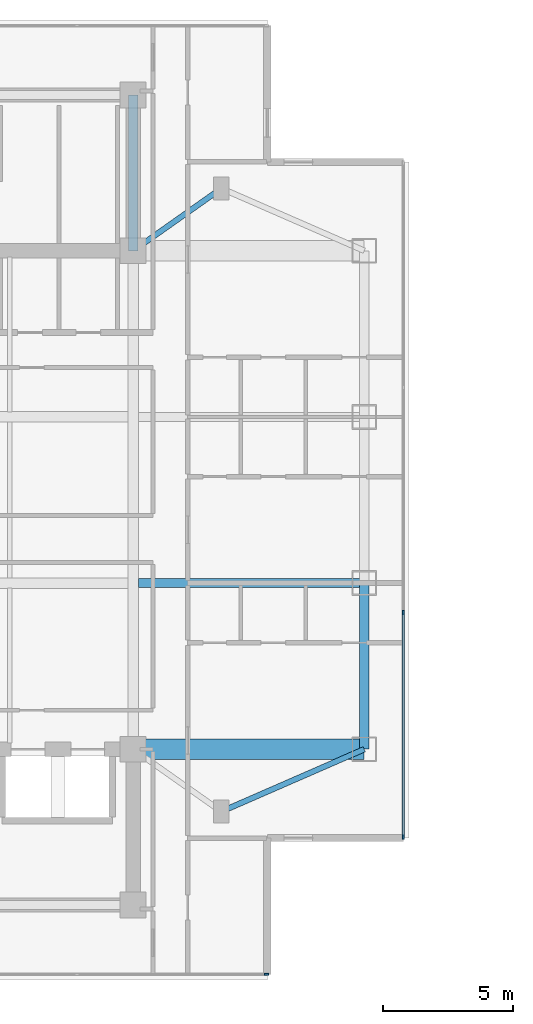
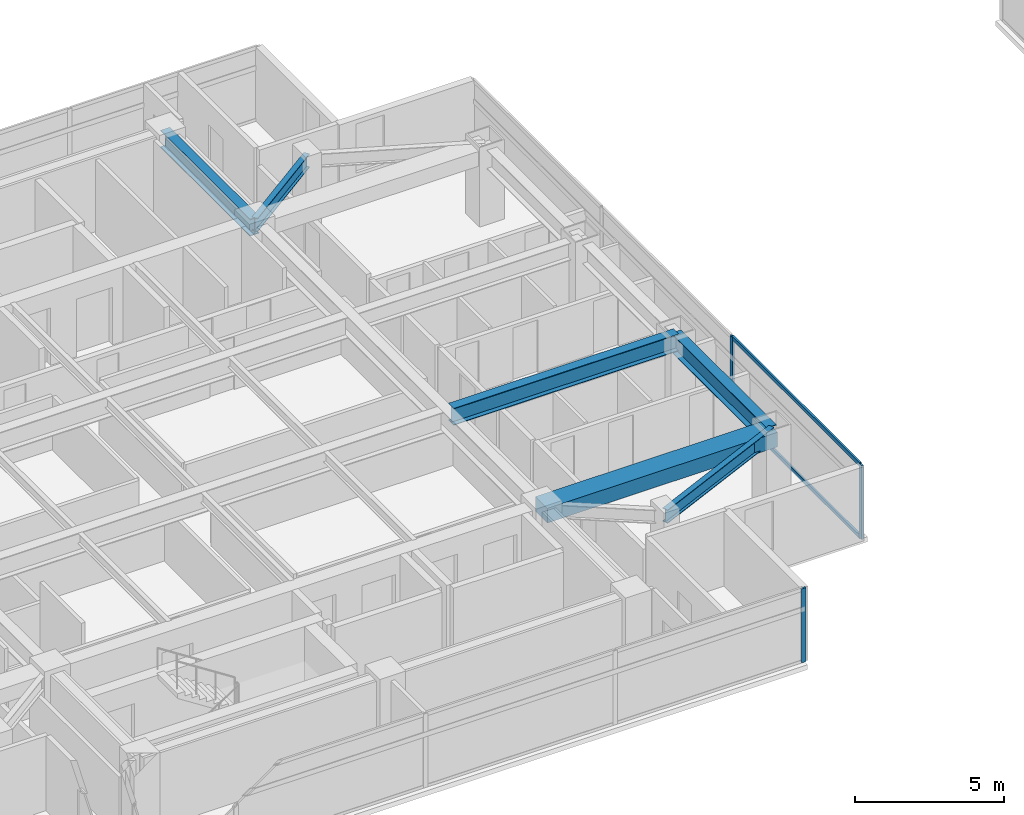
# One storey, part 4 of 24: 6 beams, 5 members, 2 elements without a shape of their own.
"""IFC4 building model written with IfcOpenShell, lengths in metres."""

from ifc_helpers import new_model, si_unit, direction, frame, origin, origin_2d, place, context, subcontext, project, spatial, rectangle, i_section, extrude, material, material_profile, profile_set, type_object, element, aggregate, save


model = new_model("IFC4")

# Units and contexts
model_context = context("Model", 3, precision=1e-05, world=origin(), true_north=direction((0.0, 1.0)))
body_context = subcontext(model_context, "Body", "Model", "MODEL_VIEW")
ifc_project = project(units=[si_unit("LENGTHUNIT", "METRE"), si_unit("AREAUNIT", "SQUARE_METRE"), si_unit("VOLUMEUNIT", "CUBIC_METRE"), si_unit("PLANEANGLEUNIT", "RADIAN"), si_unit("MASSUNIT", "GRAM", prefix="KILO")], contexts=[model_context])

# Site, building, storey
site_placement = place(None, origin())
site = spatial("IfcSite", under=ifc_project, at=site_placement, CompositionType="ELEMENT")
building_placement = place(site_placement, origin())
building = spatial("IfcBuilding", under=site, at=building_placement, Name="Mirazonda Arch Towers", CompositionType="ELEMENT")
storey_placement = place(building_placement, frame((0.0, 0.0, 157.64990234375)))
storey = spatial("IfcBuildingStorey", under=building, at=storey_placement, Name="L44", CompositionType="ELEMENT", Elevation=157.64990234375)

# Beams
ifc_material_1 = material(Name="Steel ASTM A992 Grade 50", Category="steel")
ifc_material_profile_1 = material_profile(ifc_material_1, i_section(OverallWidth=0.381103515625, OverallDepth=0.77294921875, WebThickness=0.0166015625, FlangeThickness=0.027099609375, at=origin_2d()), Name="W30X173")
ifc_profile_set_1 = profile_set([ifc_material_profile_1], Name="Steel ASTM A992 Grade 50")
beam_type_1 = type_object("IfcBeamType", Name="BM-EXT-W30X173", PredefinedType="USERDEFINED", material=ifc_profile_set_1)
beam_1_placement = place(storey_placement, frame((38.89990234375, 18.39990234375, 2.66357421875), z_axis=(0.0, 1.0, 0.0), x_axis=(-1.0, 0.0, 0.0)))
element("IfcBeam", 1, at=beam_1_placement, inside=storey, type_object=beam_type_1, Name="L44 Floor Beam BM-T1-L44-NS-E-18", ObjectType="GIRDER", PredefinedType="USERDEFINED", context=body_context, shape_type="SweptSolid", body=[
    extrude(i_section(OverallWidth=0.381103515625, OverallDepth=0.77294921875, WebThickness=0.0166015625, FlangeThickness=0.027099609375, at=origin_2d()), origin(), (0.0, 0.0, 1.0), 6.400146484375),
])
ifc_material_profile_2 = material_profile(ifc_material_1, i_section(OverallWidth=0.214111328125, OverallDepth=0.549072265625, WebThickness=0.0146484375, FlangeThickness=0.023681640625, at=origin_2d()), Name="W21X93")
ifc_profile_set_2 = profile_set([ifc_material_profile_2], Name="Steel ASTM A992 Grade 50")
beam_type_2 = type_object("IfcBeamType", Name="BM-INT-W21X93", PredefinedType="BEAM", material=ifc_profile_set_2)
beam_2_placement = place(storey_placement, frame((33.39990234375, 16.0, 2.775634765625), z_axis=(0.916545343703, 0.399930785183, 0.0), x_axis=(-0.399930785183, 0.916545343703, 0.0)))
element("IfcBeam", 2, at=beam_2_placement, inside=storey, type_object=beam_type_2, Name="L44 Floor Beam BM-T1-L44-PL-SE2", PredefinedType="BEAM", context=body_context, shape_type="SweptSolid", body=[
    extrude(i_section(OverallWidth=0.214111328125, OverallDepth=0.549072265625, WebThickness=0.0146484375, FlangeThickness=0.023681640625, at=origin_2d()), origin(), (0.0, 0.0, 1.0), 6.000732421875),
])
beam_3_placement = place(storey_placement, frame((33.39990234375, 40.0, 2.775634765625), z_axis=(-0.816971114901, -0.576678591087, 0.0), x_axis=(0.576678591087, -0.816971114901, 0.0)))
element("IfcBeam", 3, at=beam_3_placement, inside=storey, type_object=beam_type_2, Name="L44 Floor Beam BM-T1-L44-PL-NE1", PredefinedType="BEAM", context=body_context, shape_type="SweptSolid", body=[
    extrude(i_section(OverallWidth=0.214111328125, OverallDepth=0.549072265625, WebThickness=0.0146484375, FlangeThickness=0.023681640625, at=origin_2d()), origin(), (0.0, 0.0, 1.0), 4.16162109375),
])
ifc_material_profile_3 = material_profile(ifc_material_1, i_section(OverallWidth=0.35498046875, OverallDepth=0.696044921875, WebThickness=0.015380859375, FlangeThickness=0.02490234375, at=origin_2d()), Name="W27X146")
ifc_profile_set_3 = profile_set([ifc_material_profile_3], Name="Steel ASTM A992 Grade 50")
beam_type_3 = type_object("IfcBeamType", Name="BM-INT-W27X146", PredefinedType="BEAM", material=ifc_profile_set_3)
beam_4_placement = place(storey_placement, frame((30.199951171875, 24.800048828125, 2.7021484375), z_axis=(1.0, 0.0, 0.0), x_axis=(0.0, 1.0, 0.0)))
element("IfcBeam", 4, at=beam_4_placement, inside=storey, type_object=beam_type_3, Name="L44 Floor Beam BM-T1-L44-GE2", PredefinedType="BEAM", context=body_context, shape_type="SweptSolid", body=[
    extrude(i_section(OverallWidth=0.35498046875, OverallDepth=0.696044921875, WebThickness=0.015380859375, FlangeThickness=0.02490234375, at=origin_2d()), origin(), (0.0, 0.0, 1.0), 8.699951171875),
])
beam_5_placement = place(storey_placement, frame((30.0, 37.60009765625, 2.7021484375), z_axis=(0.0, 1.0, 0.0), x_axis=(-1.0, 0.0, 0.0)))
element("IfcBeam", 5, at=beam_5_placement, inside=storey, type_object=beam_type_3, Name="L44 Floor Beam BM-T1-L44-CNE", PredefinedType="BEAM", context=body_context, shape_type="SweptSolid", body=[
    extrude(i_section(OverallWidth=0.35498046875, OverallDepth=0.696044921875, WebThickness=0.015380859375, FlangeThickness=0.02490234375, at=origin_2d()), origin(), (0.0, 0.0, 1.0), 6.0),
])
ifc_material_2 = material(Name="Concrete C60/75", Category="concrete")
ifc_material_profile_4 = material_profile(ifc_material_2, rectangle(XDim=0.800048828125, YDim=0.60009765625, at=origin_2d()), Name="RCCB800x600")
ifc_profile_set_4 = profile_set([ifc_material_profile_4], Name="Concrete C60/75")
beam_type_4 = type_object("IfcBeamType", Name="CB-INT-RCCB800x600", PredefinedType="SPANDREL", material=ifc_profile_set_4)
beam_6_placement = place(storey_placement, frame((30.0, 18.39990234375, 2.75), z_axis=(1.0, 0.0, 0.0), x_axis=(0.0, 1.0, 0.0)))
element("IfcBeam", 6, at=beam_6_placement, inside=storey, type_object=beam_type_4, Name="L44 Floor Beam CBC-T1-L44-SE", PredefinedType="SPANDREL", context=body_context, shape_type="SweptSolid", body=[
    extrude(rectangle(XDim=0.800048828125, YDim=0.60009765625, at=origin_2d()), origin(), (0.0, 0.0, 1.0), 8.89990234375),
])

# Curtain wall, member
ifc_material_3 = material(Name="Anodised Aluminium and Low-E Glass", Category="aluminium")
curtain_wall_type = type_object("IfcCurtainWallType", Name="CW-RES-UNIT", PredefinedType="NOTDEFINED", material=ifc_material_3)
curtain_wall_1_placement = place(storey_placement, origin())
curtain_wall_1 = element("IfcCurtainWall", 7, at=curtain_wall_1_placement, inside=storey, type_object=curtain_wall_type, Name="L44 T1 S Facade CW-L44-T1-S", PredefinedType="NOTDEFINED")
ifc_material_4 = material(Name="Anodised Aluminium Alloy", Category="aluminium")
ifc_material_profile_5 = material_profile(ifc_material_4, rectangle(XDim=0.074951171875, YDim=0.175048828125, at=origin_2d()), Name="ALU-MULL-75x175")
ifc_profile_set_5 = profile_set([ifc_material_profile_5], Name="Anodised Aluminium Alloy")
member_type_1 = type_object("IfcMemberType", Name="MULL-CW-RES-UNIT", PredefinedType="MULLION", material=ifc_profile_set_5)
member_1_placement = place(storey_placement, frame((35.12744140625, 9.73193359375, 0.0), z_axis=(0.0, 0.0, 1.0), x_axis=(0.0, -1.0, 0.0)))
member_1 = element("IfcMember", 8, at=member_1_placement, type_object=member_type_1, Name="CW-104 mullion 1", PredefinedType="MULLION", context=body_context, shape_type="SweptSolid", body=[
    extrude(rectangle(XDim=0.074951171875, YDim=0.175048828125, at=origin_2d()), origin(), (0.0, 0.0, 1.0), 3.030029296875),
])
aggregate(curtain_wall_1, [member_1])

# Curtain wall, members
curtain_wall_2_placement = place(storey_placement, origin())
curtain_wall_2 = element("IfcCurtainWall", 9, at=curtain_wall_2_placement, inside=storey, type_object=curtain_wall_type, Name="L44 T1 E Facade CW-L44-T1-E", PredefinedType="NOTDEFINED")
member_2_placement = place(storey_placement, frame((40.409912109375, 15.014404296875, 0.0), z_axis=(0.0, 0.0, 1.0), x_axis=(-1.0, 0.0, 0.0)))
member_2 = element("IfcMember", 10, at=member_2_placement, type_object=member_type_1, Name="CW-104 mullion 1", PredefinedType="MULLION", context=body_context, shape_type="SweptSolid", body=[
    extrude(rectangle(XDim=0.074951171875, YDim=0.175048828125, at=origin_2d()), origin(), (0.0, 0.0, 1.0), 3.030029296875),
])
member_3_placement = place(storey_placement, frame((40.409912109375, 23.658935546875, 0.0), z_axis=(0.0, 0.0, 1.0), x_axis=(-1.0, 0.0, 0.0)))
member_3 = element("IfcMember", 11, at=member_3_placement, type_object=member_type_1, Name="CW-104 mullion 2", PredefinedType="MULLION", context=body_context, shape_type="SweptSolid", body=[
    extrude(rectangle(XDim=0.074951171875, YDim=0.175048828125, at=origin_2d()), origin(), (0.0, 0.0, 1.0), 3.030029296875),
])
ifc_material_profile_6 = material_profile(ifc_material_4, rectangle(XDim=0.074951171875, YDim=0.155029296875, at=origin_2d()), Name="ALU-TRAN-75x155")
ifc_profile_set_6 = profile_set([ifc_material_profile_6], Name="Anodised Aluminium Alloy")
member_type_2 = type_object("IfcMemberType", Name="TRAN-CW-RES-UNIT", PredefinedType="USERDEFINED", material=ifc_profile_set_6)
member_4_placement = place(storey_placement, frame((40.409912109375, 15.052001953125, 0.03759765625), z_axis=(0.0, 1.0, 0.0), x_axis=(-1.0, 0.0, 0.0)))
member_4 = element("IfcMember", 12, at=member_4_placement, type_object=member_type_2, Name="CW-104 transom 1.1", ObjectType="TRANSOM", PredefinedType="USERDEFINED", context=body_context, shape_type="SweptSolid", body=[
    extrude(rectangle(XDim=0.074951171875, YDim=0.155029296875, at=origin_2d()), origin(), (0.0, 0.0, 1.0), 8.569580078125),
])
member_5_placement = place(storey_placement, frame((40.409912109375, 15.052001953125, 2.99267578125), z_axis=(0.0, 1.0, 0.0), x_axis=(-1.0, 0.0, 0.0)))
member_5 = element("IfcMember", 13, at=member_5_placement, type_object=member_type_2, Name="CW-104 transom 1.2", ObjectType="TRANSOM", PredefinedType="USERDEFINED", context=body_context, shape_type="SweptSolid", body=[
    extrude(rectangle(XDim=0.074951171875, YDim=0.155029296875, at=origin_2d()), origin(), (0.0, 0.0, 1.0), 8.569580078125),
])
aggregate(curtain_wall_2, [member_2, member_3, member_4, member_5])

save(model, "model.ifc")
